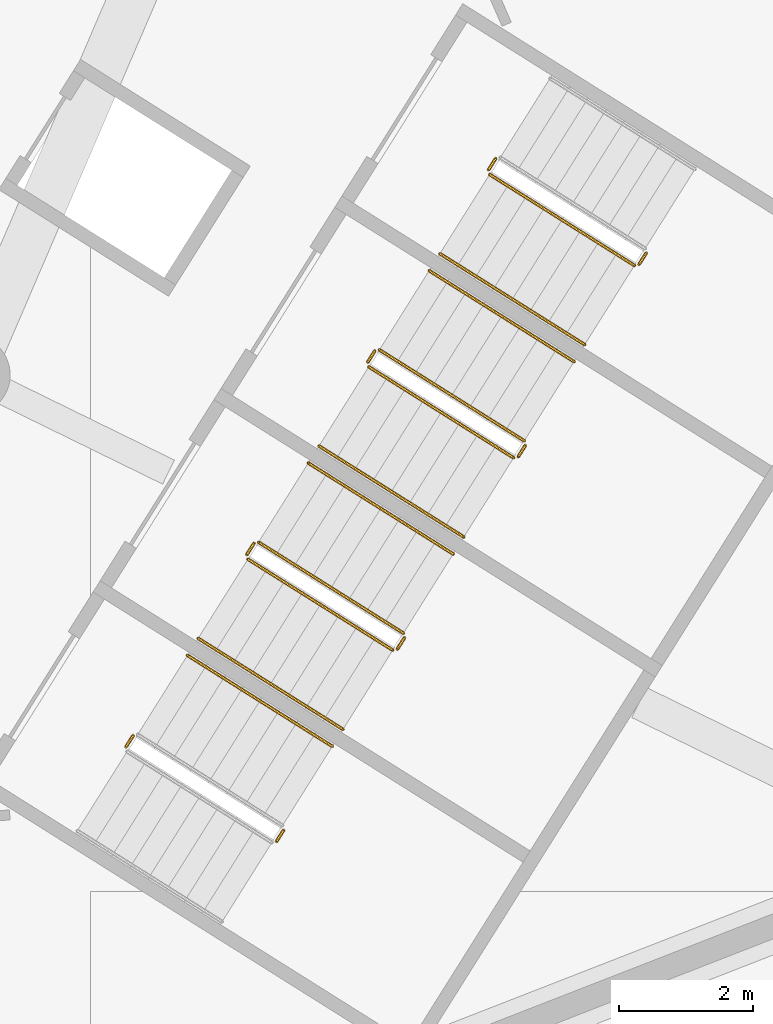
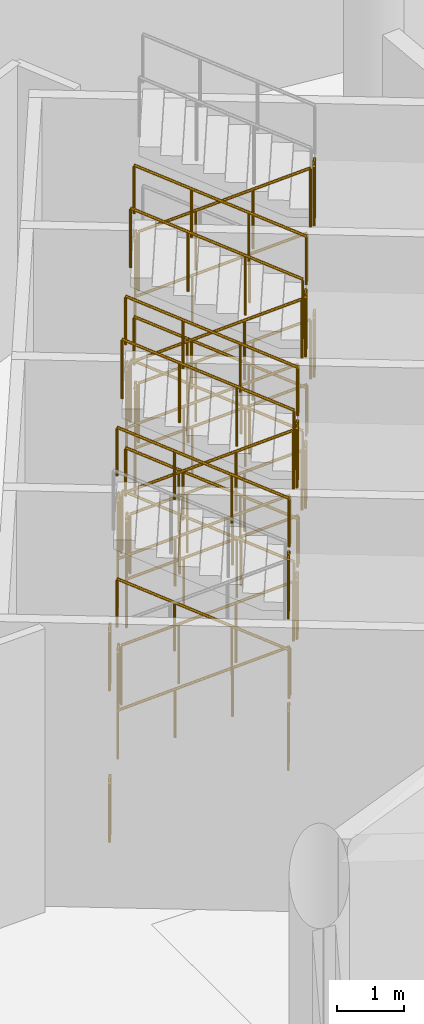
# One storey, part 242 of 271: 38 railings.
"""IFC4 building model written with IfcOpenShell, lengths in metres."""

from ifc_helpers import new_model, si_unit, direction, frame, origin, origin_2d, place, context, subcontext, project, spatial, circle, extrude, material, type_object, element, save


model = new_model("IFC4")

# Units and contexts
model_context = context("Model", 3, precision=1e-05, world=origin(), true_north=direction((0.0, 1.0)))
body_context = subcontext(model_context, "Body", "Model", "MODEL_VIEW")
ifc_project = project(units=[si_unit("LENGTHUNIT", "METRE"), si_unit("AREAUNIT", "SQUARE_METRE"), si_unit("VOLUMEUNIT", "CUBIC_METRE"), si_unit("PLANEANGLEUNIT", "RADIAN"), si_unit("MASSUNIT", "GRAM", prefix="KILO")], contexts=[model_context])

# Site, building, storey
site_placement = place(None, origin())
site = spatial("IfcSite", under=ifc_project, at=site_placement, CompositionType="ELEMENT")
building_placement = place(site_placement, origin())
building = spatial("IfcBuilding", under=site, at=building_placement, Name="Meseta Stadium", CompositionType="ELEMENT")
storey_placement = place(building_placement, frame((0.0, 0.0, 6.5)))
storey = spatial("IfcBuildingStorey", under=building, at=storey_placement, Name="L01", CompositionType="ELEMENT", Elevation=6.5)

# Railings
ifc_material_1 = material(Name="Steel S355", Category="steel")
railing_type_1 = type_object("IfcRailingType", Name="Stair guard 1100", PredefinedType="GUARDRAIL", material=ifc_material_1)
railing_1_placement = place(storey_placement, frame((82.783935546875, -79.254150390625, 1.375)))
element("IfcRailing", 1, at=railing_1_placement, inside=storey, type_object=railing_type_1, Name="ST109 L01 guard 2", PredefinedType="GUARDRAIL", context=body_context, shape_type="SweptSolid", body=[
    extrude(circle(Radius=0.02392578125, at=origin_2d()), frame((0.0, 0.0, 1.076171875), z_axis=(0.532521690573, 0.846416356806, 0.0), x_axis=(-0.846416356806, 0.532521690573, 0.0)), (0.0, 0.0, 1.0), 0.199951171875),
    extrude(circle(Radius=0.02099609375, at=origin_2d()), origin(), (0.0, 0.0, 1.0), 1.052001953125),
    extrude(circle(Radius=0.02099609375, at=origin_2d()), frame((0.1064453125, 0.169189453125, 0.0)), (0.0, 0.0, 1.0), 1.052001953125),
])
railing_2_placement = place(storey_placement, frame((80.53173828125, -77.8388671875, 2.75)))
element("IfcRailing", 2, at=railing_2_placement, inside=storey, type_object=railing_type_1, Name="ST109 L01 guard 4", PredefinedType="GUARDRAIL", context=body_context, shape_type="SweptSolid", body=[
    extrude(circle(Radius=0.02392578125, at=origin_2d()), frame((0.0, 0.0, 1.076171875), z_axis=(0.531645814745, 0.846966780732, 0.0), x_axis=(-0.846966780732, 0.531645814745, 0.0)), (0.0, 0.0, 1.0), 0.19970703125),
    extrude(circle(Radius=0.02099609375, at=origin_2d()), origin(), (0.0, 0.0, 1.0), 1.052001953125),
    extrude(circle(Radius=0.02099609375, at=origin_2d()), frame((0.106201171875, 0.169189453125, 0.0)), (0.0, 0.0, 1.0), 1.052001953125),
])
railing_3_placement = place(storey_placement, frame((82.783935546875, -79.254150390625, 4.125)))
element("IfcRailing", 3, at=railing_3_placement, inside=storey, type_object=railing_type_1, Name="ST109 L01 guard 6", PredefinedType="GUARDRAIL", context=body_context, shape_type="SweptSolid", body=[
    extrude(circle(Radius=0.02392578125, at=origin_2d()), frame((0.0, 0.0, 1.076171875), z_axis=(0.532521690573, 0.846416356806, 0.0), x_axis=(-0.846416356806, 0.532521690573, 0.0)), (0.0, 0.0, 1.0), 0.199951171875),
    extrude(circle(Radius=0.02099609375, at=origin_2d()), origin(), (0.0, 0.0, 1.0), 1.052001953125),
    extrude(circle(Radius=0.02099609375, at=origin_2d()), frame((0.1064453125, 0.169189453125, 0.0)), (0.0, 0.0, 1.0), 1.052001953125),
])
railing_4_placement = place(storey_placement, frame((80.53173828125, -77.8388671875, 0.0)))
element("IfcRailing", 4, at=railing_4_placement, inside=storey, type_object=railing_type_1, Name="ST109 L01 guard 8", PredefinedType="GUARDRAIL", context=body_context, shape_type="SweptSolid", body=[
    extrude(circle(Radius=0.02392578125, at=origin_2d()), frame((0.0, 0.0, 1.076171875), z_axis=(0.531645814745, 0.846966780732, 0.0), x_axis=(-0.846966780732, 0.531645814745, 0.0)), (0.0, 0.0, 1.0), 0.19970703125),
    extrude(circle(Radius=0.02099609375, at=origin_2d()), origin(), (0.0, 0.0, 1.0), 1.052001953125),
    extrude(circle(Radius=0.02099609375, at=origin_2d()), frame((0.106201171875, 0.169189453125, 0.0)), (0.0, 0.0, 1.0), 1.052001953125),
])
railing_5_placement = place(storey_placement, frame((82.356201171875, -75.029052734375, 0.15283203125)))
element("IfcRailing", 5, at=railing_5_placement, inside=storey, type_object=railing_type_1, Name="ST110 L01 guard 1", PredefinedType="GUARDRAIL", context=body_context, shape_type="SweptSolid", body=[
    extrude(circle(Radius=0.02392578125, at=origin_2d()), frame((0.0, 0.0, 1.076171875), z_axis=(0.764120620259, -0.480124894743, 0.430812909676), x_axis=(0.532028967801, 0.846726152555, 0.0)), (0.0, 0.0, 1.0), 2.8369140625),
    extrude(circle(Radius=0.02099609375, at=origin_2d()), origin(), (0.0, 0.0, 1.0), 1.052001953125),
    extrude(circle(Radius=0.02099609375, at=origin_2d()), frame((0.72265625, -0.4541015625, 0.407470703125)), (0.0, 0.0, 1.0), 1.052001953125),
    extrude(circle(Radius=0.02099609375, at=origin_2d()), frame((1.445068359375, -0.907958984375, 0.814697265625)), (0.0, 0.0, 1.0), 1.052001953125),
    extrude(circle(Radius=0.02099609375, at=origin_2d()), frame((2.167724609375, -1.362060546875, 1.22216796875)), (0.0, 0.0, 1.0), 1.052001953125),
])
railing_6_placement = place(storey_placement, frame((84.5927734375, -76.375244140625, 1.375)))
element("IfcRailing", 6, at=railing_6_placement, inside=storey, type_object=railing_type_1, Name="ST110 L01 guard 2", PredefinedType="GUARDRAIL", context=body_context, shape_type="SweptSolid", body=[
    extrude(circle(Radius=0.02392578125, at=origin_2d()), frame((0.0, 0.0, 1.076171875), z_axis=(0.532521690573, 0.846416356806, 0.0), x_axis=(-0.846416356806, 0.532521690573, 0.0)), (0.0, 0.0, 1.0), 0.199951171875),
    extrude(circle(Radius=0.02099609375, at=origin_2d()), origin(), (0.0, 0.0, 1.0), 1.052001953125),
    extrude(circle(Radius=0.02099609375, at=origin_2d()), frame((0.1064453125, 0.169189453125, 0.0)), (0.0, 0.0, 1.0), 1.052001953125),
])
railing_7_placement = place(storey_placement, frame((84.68359375, -76.136962890625, 1.52783203125)))
element("IfcRailing", 7, at=railing_7_placement, inside=storey, type_object=railing_type_1, Name="ST110 L01 guard 3", PredefinedType="GUARDRAIL", context=body_context, shape_type="SweptSolid", body=[
    extrude(circle(Radius=0.02392578125, at=origin_2d()), frame((0.0, 0.0, 1.076171875), z_axis=(-0.764152192252, 0.480058669713, 0.430830710036), x_axis=(-0.53196059271, -0.846769111272, 0.0)), (0.0, 0.0, 1.0), 2.836669921875),
    extrude(circle(Radius=0.02099609375, at=origin_2d()), origin(), (0.0, 0.0, 1.0), 1.052001953125),
    extrude(circle(Radius=0.02099609375, at=origin_2d()), frame((-0.72265625, 0.453857421875, 0.407470703125)), (0.0, 0.0, 1.0), 1.052001953125),
    extrude(circle(Radius=0.02099609375, at=origin_2d()), frame((-1.445068359375, 0.907958984375, 0.814697265625)), (0.0, 0.0, 1.0), 1.052001953125),
    extrude(circle(Radius=0.02099609375, at=origin_2d()), frame((-2.167724609375, 1.36181640625, 1.22216796875)), (0.0, 0.0, 1.0), 1.052001953125),
])
railing_8_placement = place(storey_placement, frame((82.340576171875, -74.960205078125, 2.75)))
element("IfcRailing", 8, at=railing_8_placement, inside=storey, type_object=railing_type_1, Name="ST110 L01 guard 4", PredefinedType="GUARDRAIL", context=body_context, shape_type="SweptSolid", body=[
    extrude(circle(Radius=0.02392578125, at=origin_2d()), frame((0.0, 0.0, 1.076171875), z_axis=(0.531971628011, 0.846762178531, 0.0), x_axis=(-0.846762178531, 0.531971628011, 0.0)), (0.0, 0.0, 1.0), 0.2001953125),
    extrude(circle(Radius=0.02099609375, at=origin_2d()), origin(), (0.0, 0.0, 1.0), 1.052001953125),
    extrude(circle(Radius=0.02099609375, at=origin_2d()), frame((0.1064453125, 0.16943359375, 0.0)), (0.0, 0.0, 1.0), 1.052001953125),
])
railing_9_placement = place(storey_placement, frame((82.356201171875, -75.029052734375, 2.90283203125)))
element("IfcRailing", 9, at=railing_9_placement, inside=storey, type_object=railing_type_1, Name="ST110 L01 guard 5", PredefinedType="GUARDRAIL", context=body_context, shape_type="SweptSolid", body=[
    extrude(circle(Radius=0.02392578125, at=origin_2d()), frame((0.0, 0.0, 1.076171875), z_axis=(0.764120620259, -0.480124894743, 0.430812909676), x_axis=(0.532028967801, 0.846726152555, 0.0)), (0.0, 0.0, 1.0), 2.8369140625),
    extrude(circle(Radius=0.02099609375, at=origin_2d()), origin(), (0.0, 0.0, 1.0), 1.052001953125),
    extrude(circle(Radius=0.02099609375, at=origin_2d()), frame((0.72265625, -0.4541015625, 0.407470703125)), (0.0, 0.0, 1.0), 1.052001953125),
    extrude(circle(Radius=0.02099609375, at=origin_2d()), frame((1.445068359375, -0.907958984375, 0.814697265625)), (0.0, 0.0, 1.0), 1.052001953125),
    extrude(circle(Radius=0.02099609375, at=origin_2d()), frame((2.167724609375, -1.362060546875, 1.22216796875)), (0.0, 0.0, 1.0), 1.052001953125),
])
railing_10_placement = place(storey_placement, frame((84.5927734375, -76.375244140625, 4.125)))
element("IfcRailing", 10, at=railing_10_placement, inside=storey, type_object=railing_type_1, Name="ST110 L01 guard 6", PredefinedType="GUARDRAIL", context=body_context, shape_type="SweptSolid", body=[
    extrude(circle(Radius=0.02392578125, at=origin_2d()), frame((0.0, 0.0, 1.076171875), z_axis=(0.532521690573, 0.846416356806, 0.0), x_axis=(-0.846416356806, 0.532521690573, 0.0)), (0.0, 0.0, 1.0), 0.199951171875),
    extrude(circle(Radius=0.02099609375, at=origin_2d()), origin(), (0.0, 0.0, 1.0), 1.052001953125),
    extrude(circle(Radius=0.02099609375, at=origin_2d()), frame((0.1064453125, 0.169189453125, 0.0)), (0.0, 0.0, 1.0), 1.052001953125),
])
railing_11_placement = place(storey_placement, frame((84.68359375, -76.136962890625, 4.27783203125)))
element("IfcRailing", 11, at=railing_11_placement, inside=storey, type_object=railing_type_1, Name="ST110 L01 guard 7", PredefinedType="GUARDRAIL", context=body_context, shape_type="SweptSolid", body=[
    extrude(circle(Radius=0.02392578125, at=origin_2d()), frame((0.0, 0.0, 1.076171875), z_axis=(-0.764152192252, 0.480058669713, 0.430830710036), x_axis=(-0.53196059271, -0.846769111272, 0.0)), (0.0, 0.0, 1.0), 2.836669921875),
    extrude(circle(Radius=0.02099609375, at=origin_2d()), origin(), (0.0, 0.0, 1.0), 1.052001953125),
    extrude(circle(Radius=0.02099609375, at=origin_2d()), frame((-0.72265625, 0.453857421875, 0.407470703125)), (0.0, 0.0, 1.0), 1.052001953125),
    extrude(circle(Radius=0.02099609375, at=origin_2d()), frame((-1.445068359375, 0.907958984375, 0.814697265625)), (0.0, 0.0, 1.0), 1.052001953125),
    extrude(circle(Radius=0.02099609375, at=origin_2d()), frame((-2.167724609375, 1.36181640625, 1.22216796875)), (0.0, 0.0, 1.0), 1.052001953125),
])
railing_12_placement = place(storey_placement, frame((82.340576171875, -74.960205078125, 0.0)))
element("IfcRailing", 12, at=railing_12_placement, inside=storey, type_object=railing_type_1, Name="ST110 L01 guard 8", PredefinedType="GUARDRAIL", context=body_context, shape_type="SweptSolid", body=[
    extrude(circle(Radius=0.02392578125, at=origin_2d()), frame((0.0, 0.0, 1.076171875), z_axis=(0.531971628011, 0.846762178531, 0.0), x_axis=(-0.846762178531, 0.531971628011, 0.0)), (0.0, 0.0, 1.0), 0.2001953125),
    extrude(circle(Radius=0.02099609375, at=origin_2d()), origin(), (0.0, 0.0, 1.0), 1.052001953125),
    extrude(circle(Radius=0.02099609375, at=origin_2d()), frame((0.1064453125, 0.16943359375, 0.0)), (0.0, 0.0, 1.0), 1.052001953125),
])
railing_13_placement = place(storey_placement, frame((84.165283203125, -72.150146484375, 0.15283203125)))
element("IfcRailing", 13, at=railing_13_placement, inside=storey, type_object=railing_type_1, Name="ST111 L01 guard 1", PredefinedType="GUARDRAIL", context=body_context, shape_type="SweptSolid", body=[
    extrude(circle(Radius=0.02392578125, at=origin_2d()), frame((0.0, 0.0, 1.076171875), z_axis=(0.764084805753, -0.480156468945, 0.430841241), x_axis=(0.532071929883, 0.84669915639, 0.0)), (0.0, 0.0, 1.0), 2.836669921875),
    extrude(circle(Radius=0.02099609375, at=origin_2d()), origin(), (0.0, 0.0, 1.0), 1.052001953125),
    extrude(circle(Radius=0.02099609375, at=origin_2d()), frame((0.722412109375, -0.4541015625, 0.407470703125)), (0.0, 0.0, 1.0), 1.052001953125),
    extrude(circle(Radius=0.02099609375, at=origin_2d()), frame((1.445068359375, -0.907958984375, 0.814697265625)), (0.0, 0.0, 1.0), 1.052001953125),
    extrude(circle(Radius=0.02099609375, at=origin_2d()), frame((2.16748046875, -1.362060546875, 1.22216796875)), (0.0, 0.0, 1.0), 1.052001953125),
])
railing_14_placement = place(storey_placement, frame((86.40185546875, -73.49658203125, 1.375)))
element("IfcRailing", 14, at=railing_14_placement, inside=storey, type_object=railing_type_1, Name="ST111 L01 guard 2", PredefinedType="GUARDRAIL", context=body_context, shape_type="SweptSolid", body=[
    extrude(circle(Radius=0.02392578125, at=origin_2d()), frame((0.0, 0.0, 1.076171875), z_axis=(0.531095943551, 0.847311689252, 0.0), x_axis=(-0.847311689252, 0.531095943551, 0.0)), (0.0, 0.0, 1.0), 0.199951171875),
    extrude(circle(Radius=0.02099609375, at=origin_2d()), origin(), (0.0, 0.0, 1.0), 1.052001953125),
    extrude(circle(Radius=0.02099609375, at=origin_2d()), frame((0.106201171875, 0.16943359375, 0.0)), (0.0, 0.0, 1.0), 1.052001953125),
])
railing_15_placement = place(storey_placement, frame((86.492431640625, -73.258056640625, 1.52783203125)))
element("IfcRailing", 15, at=railing_15_placement, inside=storey, type_object=railing_type_1, Name="ST111 L01 guard 3", PredefinedType="GUARDRAIL", context=body_context, shape_type="SweptSolid", body=[
    extrude(circle(Radius=0.02392578125, at=origin_2d()), frame((0.0, 0.0, 1.076171875), z_axis=(-0.764152192252, 0.480058669713, 0.430830710036), x_axis=(-0.53196059271, -0.846769111272, 0.0)), (0.0, 0.0, 1.0), 2.836669921875),
    extrude(circle(Radius=0.02099609375, at=origin_2d()), origin(), (0.0, 0.0, 1.0), 1.052001953125),
    extrude(circle(Radius=0.02099609375, at=origin_2d()), frame((-0.72265625, 0.453857421875, 0.407470703125)), (0.0, 0.0, 1.0), 1.052001953125),
    extrude(circle(Radius=0.02099609375, at=origin_2d()), frame((-1.445068359375, 0.907958984375, 0.814697265625)), (0.0, 0.0, 1.0), 1.052001953125),
    extrude(circle(Radius=0.02099609375, at=origin_2d()), frame((-2.167724609375, 1.36181640625, 1.22216796875)), (0.0, 0.0, 1.0), 1.052001953125),
])
railing_16_placement = place(storey_placement, frame((84.1494140625, -72.081298828125, 2.75)))
element("IfcRailing", 16, at=railing_16_placement, inside=storey, type_object=railing_type_1, Name="ST111 L01 guard 4", PredefinedType="GUARDRAIL", context=body_context, shape_type="SweptSolid", body=[
    extrude(circle(Radius=0.02392578125, at=origin_2d()), frame((0.0, 0.0, 1.076171875), z_axis=(0.531971628011, 0.846762178531, 0.0), x_axis=(-0.846762178531, 0.531971628011, 0.0)), (0.0, 0.0, 1.0), 0.2001953125),
    extrude(circle(Radius=0.02099609375, at=origin_2d()), origin(), (0.0, 0.0, 1.0), 1.052001953125),
    extrude(circle(Radius=0.02099609375, at=origin_2d()), frame((0.1064453125, 0.16943359375, 0.0)), (0.0, 0.0, 1.0), 1.052001953125),
])
railing_17_placement = place(storey_placement, frame((84.165283203125, -72.150146484375, 2.90283203125)))
element("IfcRailing", 17, at=railing_17_placement, inside=storey, type_object=railing_type_1, Name="ST111 L01 guard 5", PredefinedType="GUARDRAIL", context=body_context, shape_type="SweptSolid", body=[
    extrude(circle(Radius=0.02392578125, at=origin_2d()), frame((0.0, 0.0, 1.076171875), z_axis=(0.764084805753, -0.480156468945, 0.430841241), x_axis=(0.532071929883, 0.84669915639, 0.0)), (0.0, 0.0, 1.0), 2.836669921875),
    extrude(circle(Radius=0.02099609375, at=origin_2d()), origin(), (0.0, 0.0, 1.0), 1.052001953125),
    extrude(circle(Radius=0.02099609375, at=origin_2d()), frame((0.722412109375, -0.4541015625, 0.407470703125)), (0.0, 0.0, 1.0), 1.052001953125),
    extrude(circle(Radius=0.02099609375, at=origin_2d()), frame((1.445068359375, -0.907958984375, 0.814697265625)), (0.0, 0.0, 1.0), 1.052001953125),
    extrude(circle(Radius=0.02099609375, at=origin_2d()), frame((2.16748046875, -1.362060546875, 1.22216796875)), (0.0, 0.0, 1.0), 1.052001953125),
])
railing_18_placement = place(storey_placement, frame((86.40185546875, -73.49658203125, 4.125)))
element("IfcRailing", 18, at=railing_18_placement, inside=storey, type_object=railing_type_1, Name="ST111 L01 guard 6", PredefinedType="GUARDRAIL", context=body_context, shape_type="SweptSolid", body=[
    extrude(circle(Radius=0.02392578125, at=origin_2d()), frame((0.0, 0.0, 1.076171875), z_axis=(0.531095943551, 0.847311689252, 0.0), x_axis=(-0.847311689252, 0.531095943551, 0.0)), (0.0, 0.0, 1.0), 0.199951171875),
    extrude(circle(Radius=0.02099609375, at=origin_2d()), origin(), (0.0, 0.0, 1.0), 1.052001953125),
    extrude(circle(Radius=0.02099609375, at=origin_2d()), frame((0.106201171875, 0.16943359375, 0.0)), (0.0, 0.0, 1.0), 1.052001953125),
])
railing_19_placement = place(storey_placement, frame((86.492431640625, -73.258056640625, 4.27783203125)))
element("IfcRailing", 19, at=railing_19_placement, inside=storey, type_object=railing_type_1, Name="ST111 L01 guard 7", PredefinedType="GUARDRAIL", context=body_context, shape_type="SweptSolid", body=[
    extrude(circle(Radius=0.02392578125, at=origin_2d()), frame((0.0, 0.0, 1.076171875), z_axis=(-0.764152192252, 0.480058669713, 0.430830710036), x_axis=(-0.53196059271, -0.846769111272, 0.0)), (0.0, 0.0, 1.0), 2.836669921875),
    extrude(circle(Radius=0.02099609375, at=origin_2d()), origin(), (0.0, 0.0, 1.0), 1.052001953125),
    extrude(circle(Radius=0.02099609375, at=origin_2d()), frame((-0.72265625, 0.453857421875, 0.407470703125)), (0.0, 0.0, 1.0), 1.052001953125),
    extrude(circle(Radius=0.02099609375, at=origin_2d()), frame((-1.445068359375, 0.907958984375, 0.814697265625)), (0.0, 0.0, 1.0), 1.052001953125),
    extrude(circle(Radius=0.02099609375, at=origin_2d()), frame((-2.167724609375, 1.36181640625, 1.22216796875)), (0.0, 0.0, 1.0), 1.052001953125),
])
railing_20_placement = place(storey_placement, frame((84.1494140625, -72.081298828125, 0.0)))
element("IfcRailing", 20, at=railing_20_placement, inside=storey, type_object=railing_type_1, Name="ST111 L01 guard 8", PredefinedType="GUARDRAIL", context=body_context, shape_type="SweptSolid", body=[
    extrude(circle(Radius=0.02392578125, at=origin_2d()), frame((0.0, 0.0, 1.076171875), z_axis=(0.531971628011, 0.846762178531, 0.0), x_axis=(-0.846762178531, 0.531971628011, 0.0)), (0.0, 0.0, 1.0), 0.2001953125),
    extrude(circle(Radius=0.02099609375, at=origin_2d()), origin(), (0.0, 0.0, 1.0), 1.052001953125),
    extrude(circle(Radius=0.02099609375, at=origin_2d()), frame((0.1064453125, 0.16943359375, 0.0)), (0.0, 0.0, 1.0), 1.052001953125),
])
railing_21_placement = place(storey_placement, frame((85.97412109375, -69.271240234375, 0.15283203125)))
element("IfcRailing", 21, at=railing_21_placement, inside=storey, type_object=railing_type_1, Name="ST112 L01 guard 1", PredefinedType="GUARDRAIL", context=body_context, shape_type="SweptSolid", body=[
    extrude(circle(Radius=0.02392578125, at=origin_2d()), frame((0.0, 0.0, 1.076171875), z_axis=(0.764084805753, -0.480156468945, 0.430841241), x_axis=(0.532071929883, 0.84669915639, 0.0)), (0.0, 0.0, 1.0), 2.836669921875),
    extrude(circle(Radius=0.02099609375, at=origin_2d()), origin(), (0.0, 0.0, 1.0), 1.052001953125),
    extrude(circle(Radius=0.02099609375, at=origin_2d()), frame((0.722412109375, -0.4541015625, 0.407470703125)), (0.0, 0.0, 1.0), 1.052001953125),
    extrude(circle(Radius=0.02099609375, at=origin_2d()), frame((1.445068359375, -0.907958984375, 0.814697265625)), (0.0, 0.0, 1.0), 1.052001953125),
    extrude(circle(Radius=0.02099609375, at=origin_2d()), frame((2.16748046875, -1.362060546875, 1.22216796875)), (0.0, 0.0, 1.0), 1.052001953125),
])
for number, where, name in (
    (22, (88.210693359375, -70.61767578125, 1.375), "ST112 L01 guard 2"),
    (23, (85.958251953125, -69.202392578125, 2.75), "ST112 L01 guard 4"),
):
    element("IfcRailing", number, at=place(storey_placement, frame(where)), inside=storey, type_object=railing_type_1, Name=name, PredefinedType="GUARDRAIL", context=body_context, shape_type="SweptSolid", body=[
        extrude(circle(Radius=0.02392578125, at=origin_2d()), frame((0.0, 0.0, 1.076171875), z_axis=(0.531971628011, 0.846762178531, 0.0), x_axis=(-0.846762178531, 0.531971628011, 0.0)), (0.0, 0.0, 1.0), 0.2001953125),
        extrude(circle(Radius=0.02099609375, at=origin_2d()), origin(), (0.0, 0.0, 1.0), 1.052001953125),
        extrude(circle(Radius=0.02099609375, at=origin_2d()), frame((0.1064453125, 0.16943359375, 0.0)), (0.0, 0.0, 1.0), 1.052001953125),
    ])
railing_22_placement = place(storey_placement, frame((85.97412109375, -69.271240234375, 2.90283203125)))
element("IfcRailing", 24, at=railing_22_placement, inside=storey, type_object=railing_type_1, Name="ST112 L01 guard 5", PredefinedType="GUARDRAIL", context=body_context, shape_type="SweptSolid", body=[
    extrude(circle(Radius=0.02392578125, at=origin_2d()), frame((0.0, 0.0, 1.076171875), z_axis=(0.764084805753, -0.480156468945, 0.430841241), x_axis=(0.532071929883, 0.84669915639, 0.0)), (0.0, 0.0, 1.0), 2.836669921875),
    extrude(circle(Radius=0.02099609375, at=origin_2d()), origin(), (0.0, 0.0, 1.0), 1.052001953125),
    extrude(circle(Radius=0.02099609375, at=origin_2d()), frame((0.722412109375, -0.4541015625, 0.407470703125)), (0.0, 0.0, 1.0), 1.052001953125),
    extrude(circle(Radius=0.02099609375, at=origin_2d()), frame((1.445068359375, -0.907958984375, 0.814697265625)), (0.0, 0.0, 1.0), 1.052001953125),
    extrude(circle(Radius=0.02099609375, at=origin_2d()), frame((2.16748046875, -1.362060546875, 1.22216796875)), (0.0, 0.0, 1.0), 1.052001953125),
])
for number, where, name in (
    (25, (88.210693359375, -70.61767578125, 4.125), "ST112 L01 guard 6"),
    (26, (85.958251953125, -69.202392578125, 0.0), "ST112 L01 guard 8"),
):
    element("IfcRailing", number, at=place(storey_placement, frame(where)), inside=storey, type_object=railing_type_1, Name=name, PredefinedType="GUARDRAIL", context=body_context, shape_type="SweptSolid", body=[
        extrude(circle(Radius=0.02392578125, at=origin_2d()), frame((0.0, 0.0, 1.076171875), z_axis=(0.531971628011, 0.846762178531, 0.0), x_axis=(-0.846762178531, 0.531971628011, 0.0)), (0.0, 0.0, 1.0), 0.2001953125),
        extrude(circle(Radius=0.02099609375, at=origin_2d()), origin(), (0.0, 0.0, 1.0), 1.052001953125),
        extrude(circle(Radius=0.02099609375, at=origin_2d()), frame((0.1064453125, 0.16943359375, 0.0)), (0.0, 0.0, 1.0), 1.052001953125),
    ])
ifc_material_2 = material(Name="Steel S355", Category="steel")
railing_type_2 = type_object("IfcRailingType", Name="Stair handrail 900", PredefinedType="HANDRAIL", material=ifc_material_2)
for number, where, name in (
    (27, (83.619384765625, -77.83056640625, 1.52783203125), "ST109 L01 handrail 2"),
    (28, (83.619384765625, -77.83056640625, 4.27783203125), "ST109 L01 handrail 4"),
):
    element("IfcRailing", number, at=place(storey_placement, frame(where)), inside=storey, type_object=railing_type_2, Name=name, PredefinedType="HANDRAIL", context=body_context, shape_type="SweptSolid", body=[
        extrude(circle(Radius=0.02392578125, at=origin_2d()), frame((0.0, 0.0, 0.8759765625), z_axis=(-0.764084805753, 0.480156468945, 0.430841241), x_axis=(-0.532071929883, -0.84669915639, 0.0)), (0.0, 0.0, 1.0), 2.836669921875),
        extrude(circle(Radius=0.02099609375, at=origin_2d()), origin(), (0.0, 0.0, 1.0), 0.851806640625),
        extrude(circle(Radius=0.02099609375, at=origin_2d()), frame((-0.722412109375, 0.4541015625, 0.407470703125)), (0.0, 0.0, 1.0), 0.851806640625),
        extrude(circle(Radius=0.02099609375, at=origin_2d()), frame((-1.445068359375, 0.907958984375, 0.814697265625)), (0.0, 0.0, 1.0), 0.851806640625),
        extrude(circle(Radius=0.02099609375, at=origin_2d()), frame((-2.16748046875, 1.362060546875, 1.22216796875)), (0.0, 0.0, 1.0), 0.851806640625),
    ])
railing_23_placement = place(storey_placement, frame((81.611328125, -76.21435546875, 0.15283203125)))
element("IfcRailing", 29, at=railing_23_placement, inside=storey, type_object=railing_type_2, Name="ST110 L01 handrail 1", PredefinedType="HANDRAIL", context=body_context, shape_type="SweptSolid", body=[
    extrude(circle(Radius=0.02392578125, at=origin_2d()), frame((0.0, 0.0, 0.8759765625), z_axis=(0.764120620259, -0.480124894743, 0.430812909676), x_axis=(0.532028967801, 0.846726152555, 0.0)), (0.0, 0.0, 1.0), 2.8369140625),
    extrude(circle(Radius=0.02099609375, at=origin_2d()), origin(), (0.0, 0.0, 1.0), 0.851806640625),
    extrude(circle(Radius=0.02099609375, at=origin_2d()), frame((0.72265625, -0.4541015625, 0.407470703125)), (0.0, 0.0, 1.0), 0.851806640625),
    extrude(circle(Radius=0.02099609375, at=origin_2d()), frame((1.445068359375, -0.907958984375, 0.814697265625)), (0.0, 0.0, 1.0), 0.851806640625),
    extrude(circle(Radius=0.02099609375, at=origin_2d()), frame((2.167724609375, -1.362060546875, 1.22216796875)), (0.0, 0.0, 1.0), 0.851806640625),
])
railing_24_placement = place(storey_placement, frame((85.428466796875, -74.95166015625, 1.52783203125)))
element("IfcRailing", 30, at=railing_24_placement, inside=storey, type_object=railing_type_2, Name="ST110 L01 handrail 2", PredefinedType="HANDRAIL", context=body_context, shape_type="SweptSolid", body=[
    extrude(circle(Radius=0.02392578125, at=origin_2d()), frame((0.0, 0.0, 0.8759765625), z_axis=(-0.764120620259, 0.480124894743, 0.430812909676), x_axis=(-0.532028967801, -0.846726152555, 0.0)), (0.0, 0.0, 1.0), 2.8369140625),
    extrude(circle(Radius=0.02099609375, at=origin_2d()), origin(), (0.0, 0.0, 1.0), 0.851806640625),
    extrude(circle(Radius=0.02099609375, at=origin_2d()), frame((-0.72265625, 0.4541015625, 0.407470703125)), (0.0, 0.0, 1.0), 0.851806640625),
    extrude(circle(Radius=0.02099609375, at=origin_2d()), frame((-1.445068359375, 0.907958984375, 0.814697265625)), (0.0, 0.0, 1.0), 0.851806640625),
    extrude(circle(Radius=0.02099609375, at=origin_2d()), frame((-2.167724609375, 1.362060546875, 1.22216796875)), (0.0, 0.0, 1.0), 0.851806640625),
])
railing_25_placement = place(storey_placement, frame((81.611328125, -76.21435546875, 2.90283203125)))
element("IfcRailing", 31, at=railing_25_placement, inside=storey, type_object=railing_type_2, Name="ST110 L01 handrail 3", PredefinedType="HANDRAIL", context=body_context, shape_type="SweptSolid", body=[
    extrude(circle(Radius=0.02392578125, at=origin_2d()), frame((0.0, 0.0, 0.8759765625), z_axis=(0.764120620259, -0.480124894743, 0.430812909676), x_axis=(0.532028967801, 0.846726152555, 0.0)), (0.0, 0.0, 1.0), 2.8369140625),
    extrude(circle(Radius=0.02099609375, at=origin_2d()), origin(), (0.0, 0.0, 1.0), 0.851806640625),
    extrude(circle(Radius=0.02099609375, at=origin_2d()), frame((0.72265625, -0.4541015625, 0.407470703125)), (0.0, 0.0, 1.0), 0.851806640625),
    extrude(circle(Radius=0.02099609375, at=origin_2d()), frame((1.445068359375, -0.907958984375, 0.814697265625)), (0.0, 0.0, 1.0), 0.851806640625),
    extrude(circle(Radius=0.02099609375, at=origin_2d()), frame((2.167724609375, -1.362060546875, 1.22216796875)), (0.0, 0.0, 1.0), 0.851806640625),
])
railing_26_placement = place(storey_placement, frame((85.428466796875, -74.95166015625, 4.27783203125)))
element("IfcRailing", 32, at=railing_26_placement, inside=storey, type_object=railing_type_2, Name="ST110 L01 handrail 4", PredefinedType="HANDRAIL", context=body_context, shape_type="SweptSolid", body=[
    extrude(circle(Radius=0.02392578125, at=origin_2d()), frame((0.0, 0.0, 0.8759765625), z_axis=(-0.764120620259, 0.480124894743, 0.430812909676), x_axis=(-0.532028967801, -0.846726152555, 0.0)), (0.0, 0.0, 1.0), 2.8369140625),
    extrude(circle(Radius=0.02099609375, at=origin_2d()), origin(), (0.0, 0.0, 1.0), 0.851806640625),
    extrude(circle(Radius=0.02099609375, at=origin_2d()), frame((-0.72265625, 0.4541015625, 0.407470703125)), (0.0, 0.0, 1.0), 0.851806640625),
    extrude(circle(Radius=0.02099609375, at=origin_2d()), frame((-1.445068359375, 0.907958984375, 0.814697265625)), (0.0, 0.0, 1.0), 0.851806640625),
    extrude(circle(Radius=0.02099609375, at=origin_2d()), frame((-2.167724609375, 1.362060546875, 1.22216796875)), (0.0, 0.0, 1.0), 0.851806640625),
])
railing_27_placement = place(storey_placement, frame((83.42041015625, -73.335693359375, 0.15283203125)))
element("IfcRailing", 33, at=railing_27_placement, inside=storey, type_object=railing_type_2, Name="ST111 L01 handrail 1", PredefinedType="HANDRAIL", context=body_context, shape_type="SweptSolid", body=[
    extrude(circle(Radius=0.02392578125, at=origin_2d()), frame((0.0, 0.0, 0.8759765625), z_axis=(0.764116380419, -0.480090242169, 0.430859044873), x_axis=(0.53200355363, 0.846742120675, 0.0)), (0.0, 0.0, 1.0), 2.836669921875),
    extrude(circle(Radius=0.02099609375, at=origin_2d()), origin(), (0.0, 0.0, 1.0), 0.851806640625),
    extrude(circle(Radius=0.02099609375, at=origin_2d()), frame((0.722412109375, -0.453857421875, 0.407470703125)), (0.0, 0.0, 1.0), 0.851806640625),
    extrude(circle(Radius=0.02099609375, at=origin_2d()), frame((1.445068359375, -0.907958984375, 0.814697265625)), (0.0, 0.0, 1.0), 0.851806640625),
    extrude(circle(Radius=0.02099609375, at=origin_2d()), frame((2.16748046875, -1.36181640625, 1.22216796875)), (0.0, 0.0, 1.0), 0.851806640625),
])
railing_28_placement = place(storey_placement, frame((87.2373046875, -72.07275390625, 1.52783203125)))
element("IfcRailing", 34, at=railing_28_placement, inside=storey, type_object=railing_type_2, Name="ST111 L01 handrail 2", PredefinedType="HANDRAIL", context=body_context, shape_type="SweptSolid", body=[
    extrude(circle(Radius=0.02392578125, at=origin_2d()), frame((0.0, 0.0, 0.8759765625), z_axis=(-0.764120620259, 0.480124894743, 0.430812909676), x_axis=(-0.532028967801, -0.846726152555, 0.0)), (0.0, 0.0, 1.0), 2.8369140625),
    extrude(circle(Radius=0.02099609375, at=origin_2d()), origin(), (0.0, 0.0, 1.0), 0.851806640625),
    extrude(circle(Radius=0.02099609375, at=origin_2d()), frame((-0.72265625, 0.4541015625, 0.407470703125)), (0.0, 0.0, 1.0), 0.851806640625),
    extrude(circle(Radius=0.02099609375, at=origin_2d()), frame((-1.445068359375, 0.907958984375, 0.814697265625)), (0.0, 0.0, 1.0), 0.851806640625),
    extrude(circle(Radius=0.02099609375, at=origin_2d()), frame((-2.167724609375, 1.362060546875, 1.22216796875)), (0.0, 0.0, 1.0), 0.851806640625),
])
railing_29_placement = place(storey_placement, frame((83.42041015625, -73.335693359375, 2.90283203125)))
element("IfcRailing", 35, at=railing_29_placement, inside=storey, type_object=railing_type_2, Name="ST111 L01 handrail 3", PredefinedType="HANDRAIL", context=body_context, shape_type="SweptSolid", body=[
    extrude(circle(Radius=0.02392578125, at=origin_2d()), frame((0.0, 0.0, 0.8759765625), z_axis=(0.764116380419, -0.480090242169, 0.430859044873), x_axis=(0.53200355363, 0.846742120675, 0.0)), (0.0, 0.0, 1.0), 2.836669921875),
    extrude(circle(Radius=0.02099609375, at=origin_2d()), origin(), (0.0, 0.0, 1.0), 0.851806640625),
    extrude(circle(Radius=0.02099609375, at=origin_2d()), frame((0.722412109375, -0.453857421875, 0.407470703125)), (0.0, 0.0, 1.0), 0.851806640625),
    extrude(circle(Radius=0.02099609375, at=origin_2d()), frame((1.445068359375, -0.907958984375, 0.814697265625)), (0.0, 0.0, 1.0), 0.851806640625),
    extrude(circle(Radius=0.02099609375, at=origin_2d()), frame((2.16748046875, -1.36181640625, 1.22216796875)), (0.0, 0.0, 1.0), 0.851806640625),
])
railing_30_placement = place(storey_placement, frame((87.2373046875, -72.07275390625, 4.27783203125)))
element("IfcRailing", 36, at=railing_30_placement, inside=storey, type_object=railing_type_2, Name="ST111 L01 handrail 4", PredefinedType="HANDRAIL", context=body_context, shape_type="SweptSolid", body=[
    extrude(circle(Radius=0.02392578125, at=origin_2d()), frame((0.0, 0.0, 0.8759765625), z_axis=(-0.764120620259, 0.480124894743, 0.430812909676), x_axis=(-0.532028967801, -0.846726152555, 0.0)), (0.0, 0.0, 1.0), 2.8369140625),
    extrude(circle(Radius=0.02099609375, at=origin_2d()), origin(), (0.0, 0.0, 1.0), 0.851806640625),
    extrude(circle(Radius=0.02099609375, at=origin_2d()), frame((-0.72265625, 0.4541015625, 0.407470703125)), (0.0, 0.0, 1.0), 0.851806640625),
    extrude(circle(Radius=0.02099609375, at=origin_2d()), frame((-1.445068359375, 0.907958984375, 0.814697265625)), (0.0, 0.0, 1.0), 0.851806640625),
    extrude(circle(Radius=0.02099609375, at=origin_2d()), frame((-2.167724609375, 1.362060546875, 1.22216796875)), (0.0, 0.0, 1.0), 0.851806640625),
])
for number, where, name in (
    (37, (85.229248046875, -70.456787109375, 0.15283203125), "ST112 L01 handrail 1"),
    (38, (85.229248046875, -70.456787109375, 2.90283203125), "ST112 L01 handrail 3"),
):
    element("IfcRailing", number, at=place(storey_placement, frame(where)), inside=storey, type_object=railing_type_2, Name=name, PredefinedType="HANDRAIL", context=body_context, shape_type="SweptSolid", body=[
        extrude(circle(Radius=0.02392578125, at=origin_2d()), frame((0.0, 0.0, 0.8759765625), z_axis=(0.764120620259, -0.480124894743, 0.430812909676), x_axis=(0.532028967801, 0.846726152555, 0.0)), (0.0, 0.0, 1.0), 2.8369140625),
        extrude(circle(Radius=0.02099609375, at=origin_2d()), origin(), (0.0, 0.0, 1.0), 0.851806640625),
        extrude(circle(Radius=0.02099609375, at=origin_2d()), frame((0.72265625, -0.4541015625, 0.407470703125)), (0.0, 0.0, 1.0), 0.851806640625),
        extrude(circle(Radius=0.02099609375, at=origin_2d()), frame((1.445068359375, -0.907958984375, 0.814697265625)), (0.0, 0.0, 1.0), 0.851806640625),
        extrude(circle(Radius=0.02099609375, at=origin_2d()), frame((2.167724609375, -1.362060546875, 1.22216796875)), (0.0, 0.0, 1.0), 0.851806640625),
    ])

save(model, "model.ifc")
